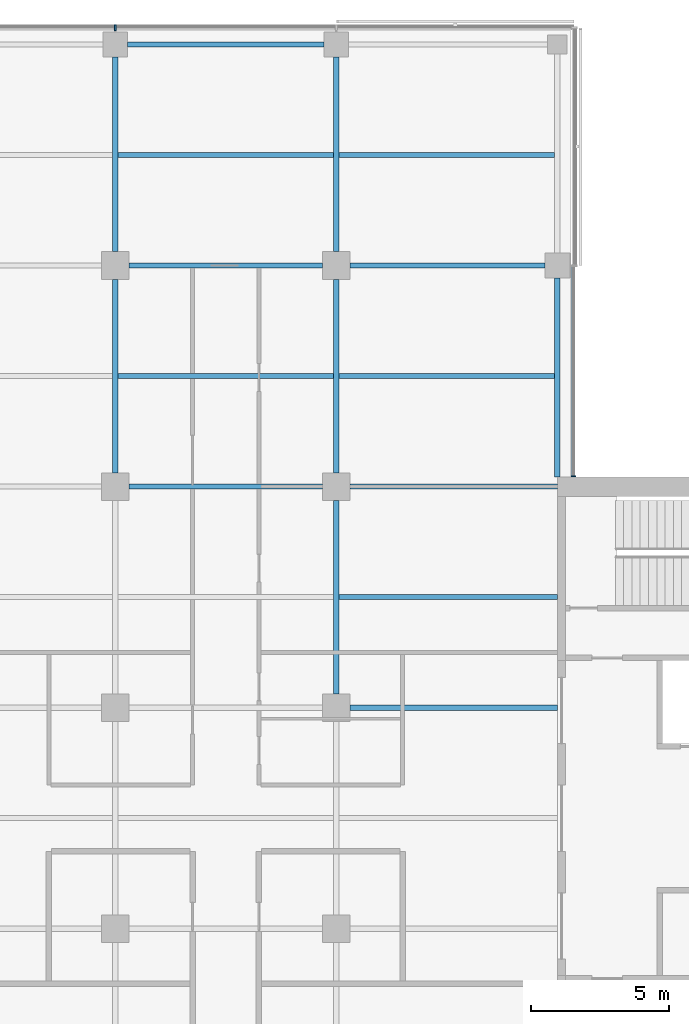
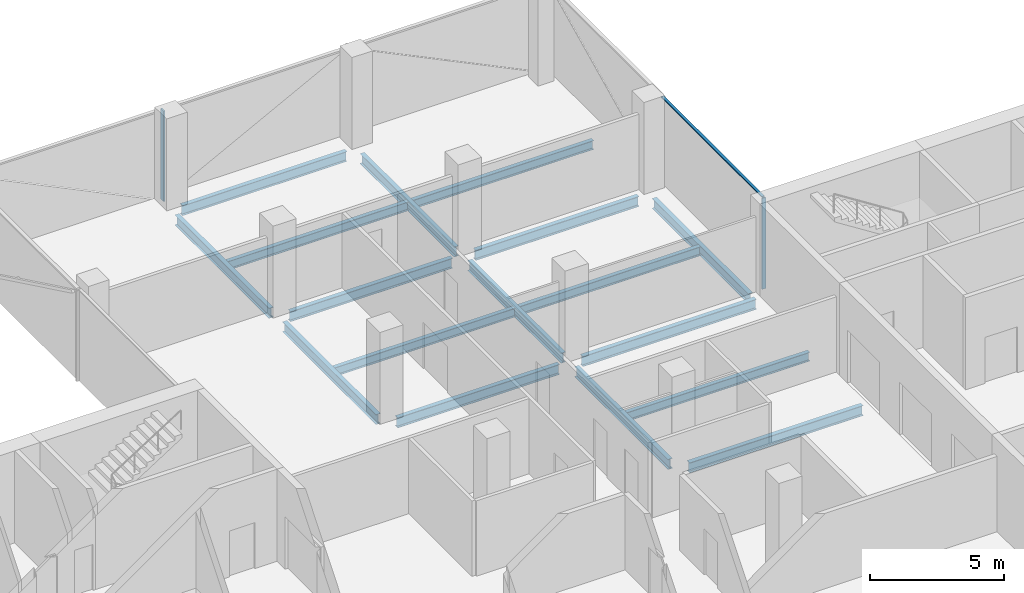
# One storey, part 9 of 22: 17 beams, 3 members, 2 elements without a shape of their own.
"""IFC4 building model written with IfcOpenShell, lengths in metres."""

from ifc_helpers import new_model, si_unit, direction, frame, origin, origin_2d, place, context, subcontext, project, spatial, rectangle, i_section, extrude, material, material_profile, profile_set, type_object, element, aggregate, save


model = new_model("IFC4")

# Units and contexts
model_context = context("Model", 3, precision=1e-05, world=origin(), true_north=direction((0.0, 1.0)))
body_context = subcontext(model_context, "Body", "Model", "MODEL_VIEW")
ifc_project = project(units=[si_unit("LENGTHUNIT", "METRE"), si_unit("AREAUNIT", "SQUARE_METRE"), si_unit("VOLUMEUNIT", "CUBIC_METRE"), si_unit("PLANEANGLEUNIT", "RADIAN"), si_unit("MASSUNIT", "GRAM", prefix="KILO")], contexts=[model_context])

# Site, building, storey
site_placement = place(None, origin())
site = spatial("IfcSite", under=ifc_project, at=site_placement, CompositionType="ELEMENT")
building_placement = place(site_placement, origin())
building = spatial("IfcBuilding", under=site, at=building_placement, Name="Crosswind Convention Tower", CompositionType="ELEMENT")
storey_placement = place(building_placement, frame((0.0, 0.0, 146.300048828125)))
storey = spatial("IfcBuildingStorey", under=building, at=storey_placement, Name="L30", CompositionType="ELEMENT", Elevation=146.300048828125)

# Beams
ifc_material_1 = material(Name="Steel S355", Category="steel")
ifc_material_profile_1 = material_profile(ifc_material_1, i_section(OverallWidth=0.18994140625, OverallDepth=0.45361328125, WebThickness=0.008544921875, FlangeThickness=0.0126953125, FilletRadius=0.01025390625, at=origin_2d()), Name="UB 457x191x67")
ifc_profile_set_1 = profile_set([ifc_material_profile_1], Name="Steel S355")
beam_type_1 = type_object("IfcBeamType", Name="Edge beam UB 457x191x67", PredefinedType="SPANDREL", material=ifc_profile_set_1)
beam_1_placement = place(storey_placement, frame((121.449951171875, 128.0, -0.52685546875), z_axis=(1.0, 0.0, 0.0), x_axis=(0.0, 1.0, 0.0)))
element("IfcBeam", 1, at=beam_1_placement, inside=storey, type_object=beam_type_1, Name="B16 L30 edge beam 13", PredefinedType="SPANDREL", context=body_context, shape_type="SweptSolid", body=[
    extrude(i_section(OverallWidth=0.18994140625, OverallDepth=0.45361328125, WebThickness=0.008544921875, FlangeThickness=0.0126953125, FilletRadius=0.01025390625, at=origin_2d()), origin(), (0.0, 0.0, 1.0), 7.10009765625),
])
beam_2_placement = place(storey_placement, frame((137.0, 112.35009765625, -0.52685546875), z_axis=(0.0, 1.0, 0.0), x_axis=(-1.0, 0.0, 0.0)))
element("IfcBeam", 2, at=beam_2_placement, inside=storey, type_object=beam_type_1, Name="B16 L30 edge beam 18", PredefinedType="SPANDREL", context=body_context, shape_type="SweptSolid", body=[
    extrude(i_section(OverallWidth=0.18994140625, OverallDepth=0.45361328125, WebThickness=0.008544921875, FlangeThickness=0.0126953125, FilletRadius=0.01025390625, at=origin_2d()), origin(), (0.0, 0.0, 1.0), 7.199951171875),
])
ifc_material_profile_2 = material_profile(ifc_material_1, i_section(OverallWidth=0.19140625, OverallDepth=0.460205078125, WebThickness=0.010009765625, FlangeThickness=0.01611328125, FilletRadius=0.01025390625, at=origin_2d()), Name="UB 457x191x82")
ifc_profile_set_2 = profile_set([ifc_material_profile_2], Name="Steel S355")
beam_type_2 = type_object("IfcBeamType", Name="Girder UB 457x191x82", PredefinedType="BEAM", material=ifc_profile_set_2)
beam_3_placement = place(storey_placement, frame((121.0, 112.5, -0.530029296875), z_axis=(0.0, 1.0, 0.0), x_axis=(-1.0, 0.0, 0.0)))
element("IfcBeam", 3, at=beam_3_placement, inside=storey, type_object=beam_type_2, Name="B3 L30 girder 8", PredefinedType="BEAM", context=body_context, shape_type="SweptSolid", body=[
    extrude(i_section(OverallWidth=0.19140625, OverallDepth=0.460205078125, WebThickness=0.010009765625, FlangeThickness=0.01611328125, FilletRadius=0.01025390625, at=origin_2d()), origin(), (0.0, 0.0, 1.0), 7.0),
])
beam_4_placement = place(storey_placement, frame((121.0, 120.5, -0.530029296875), z_axis=(0.0, 1.0, 0.0), x_axis=(-1.0, 0.0, 0.0)))
element("IfcBeam", 4, at=beam_4_placement, inside=storey, type_object=beam_type_2, Name="B3 L30 girder 9", PredefinedType="BEAM", context=body_context, shape_type="SweptSolid", body=[
    extrude(i_section(OverallWidth=0.19140625, OverallDepth=0.460205078125, WebThickness=0.010009765625, FlangeThickness=0.01611328125, FilletRadius=0.01025390625, at=origin_2d()), origin(), (0.0, 0.0, 1.0), 7.050048828125),
])
for number, where, z_axis, x_axis, name in (
    (5, (121.5, 112.0, -0.530029296875), (1.0, 0.0, 0.0), (0.0, 1.0, 0.0), "B3 L30 girder 14"),
    (6, (121.5, 120.0, -0.530029296875), (1.0, 0.0, 0.0), (0.0, 1.0, 0.0), "B3 L30 girder 15"),
    (7, (129.0, 104.5, -0.530029296875), (0.0, 1.0, 0.0), (-1.0, 0.0, 0.0), "B3 L30 girder 20"),
    (8, (129.0, 112.5, -0.530029296875), (0.0, 1.0, 0.0), (-1.0, 0.0, 0.0), "B3 L30 girder 21"),
):
    element("IfcBeam", number, at=place(storey_placement, frame(where, z_axis=z_axis, x_axis=x_axis)), inside=storey, type_object=beam_type_2, Name=name, PredefinedType="BEAM", context=body_context, shape_type="SweptSolid", body=[
        extrude(i_section(OverallWidth=0.19140625, OverallDepth=0.460205078125, WebThickness=0.010009765625, FlangeThickness=0.01611328125, FilletRadius=0.01025390625, at=origin_2d()), origin(), (0.0, 0.0, 1.0), 7.0),
    ])
for number, where, z_axis, x_axis, name in (
    (9, (129.0, 120.5, -0.530029296875), (0.0, 1.0, 0.0), (-1.0, 0.0, 0.0), "B3 L30 girder 22"),
    (10, (129.5, 120.0, -0.530029296875), (1.0, 0.0, 0.0), (0.0, 1.0, 0.0), "B3 L30 girder 24"),
):
    element("IfcBeam", number, at=place(storey_placement, frame(where, z_axis=z_axis, x_axis=x_axis)), inside=storey, type_object=beam_type_2, Name=name, PredefinedType="BEAM", context=body_context, shape_type="SweptSolid", body=[
        extrude(i_section(OverallWidth=0.19140625, OverallDepth=0.460205078125, WebThickness=0.010009765625, FlangeThickness=0.01611328125, FilletRadius=0.01025390625, at=origin_2d()), origin(), (0.0, 0.0, 1.0), 7.050048828125),
    ])
ifc_material_profile_3 = material_profile(ifc_material_1, i_section(OverallWidth=0.19189453125, OverallDepth=0.463623046875, WebThickness=0.010498046875, FlangeThickness=0.017578125, FilletRadius=0.01025390625, at=origin_2d()), Name="UB 457x191x90")
ifc_profile_set_3 = profile_set([ifc_material_profile_3], Name="Steel S355")
beam_type_3 = type_object("IfcBeamType", Name="Girder at core wall UB 457x191x90", PredefinedType="BEAM", material=ifc_profile_set_3)
for number, where, z_axis, x_axis, name in (
    (11, (129.5, 104.0, -0.53173828125), (1.0, 0.0, 0.0), (0.0, 1.0, 0.0), "B24 L30 girder at core wall 9"),
    (12, (129.5, 112.0, -0.53173828125), (1.0, 0.0, 0.0), (0.0, 1.0, 0.0), "B24 L30 girder at core wall 10"),
):
    element("IfcBeam", number, at=place(storey_placement, frame(where, z_axis=z_axis, x_axis=x_axis)), inside=storey, type_object=beam_type_3, Name=name, PredefinedType="BEAM", context=body_context, shape_type="SweptSolid", body=[
        extrude(i_section(OverallWidth=0.19189453125, OverallDepth=0.463623046875, WebThickness=0.010498046875, FlangeThickness=0.017578125, FilletRadius=0.01025390625, at=origin_2d()), origin(), (0.0, 0.0, 1.0), 7.5),
    ])

# Curtain wall, member
ifc_material_2 = material(Name="Aluminium unitised curtain wall", Category="aluminium")
curtain_wall_type_1 = type_object("IfcCurtainWallType", Name="CORE END SLOT WALL 160", PredefinedType="USERDEFINED", material=ifc_material_2)
curtain_wall_1_placement = place(storey_placement, origin())
curtain_wall_1 = element("IfcCurtainWall", 13, at=curtain_wall_1_placement, inside=storey, type_object=curtain_wall_type_1, Name="CW6 L30 N-E.1-1 slot", ObjectType="UNITISED", PredefinedType="USERDEFINED")
ifc_material_3 = material(Name="Aluminium mullion", Category="aluminium")
ifc_material_profile_4 = material_profile(ifc_material_3, rectangle(XDim=0.159912109375, YDim=0.050048828125, at=origin_2d()), Name="AL 160X50")
ifc_profile_set_4 = profile_set([ifc_material_profile_4], Name="Aluminium mullion")
member_type_1 = type_object("IfcMemberType", Name="MULLION 50X160", PredefinedType="MULLION", material=ifc_profile_set_4)
member_1_placement = place(storey_placement, frame((137.580078125, 112.375, -0.300048828125), z_axis=(0.0, 0.0, 1.0), x_axis=(1.0, 0.0, 0.0)))
member_1 = element("IfcMember", 14, at=member_1_placement, type_object=member_type_1, Name="CW6 mullion 1", PredefinedType="MULLION", context=body_context, shape_type="SweptSolid", body=[
    extrude(rectangle(XDim=0.159912109375, YDim=0.050048828125, at=origin_2d()), origin(), (0.0, 0.0, 1.0), 4.14990234375),
])

curtain_wall_type_2 = type_object("IfcCurtainWallType", Name="OFFICE UNITISED WALL 220", PredefinedType="USERDEFINED", material=ifc_material_2)
curtain_wall_2_placement = place(storey_placement, origin())
curtain_wall_2 = element("IfcCurtainWall", 15, at=curtain_wall_2_placement, inside=storey, type_object=curtain_wall_type_2, Name="CW3 L30 N-TIP 1", ObjectType="UNITISED", PredefinedType="USERDEFINED")
ifc_material_profile_5 = material_profile(ifc_material_3, rectangle(XDim=0.219970703125, YDim=0.070068359375, at=origin_2d()), Name="AL 220X70")
ifc_profile_set_5 = profile_set([ifc_material_profile_5], Name="Aluminium mullion")
member_type_2 = type_object("IfcMemberType", Name="MULLION 70X220", PredefinedType="MULLION", material=ifc_profile_set_5)
member_2_placement = place(storey_placement, frame((121.0, 128.610107421875, -0.300048828125), z_axis=(0.0, 0.0, 1.0), x_axis=(0.0, 1.0, 0.0)))
member_2 = element("IfcMember", 16, at=member_2_placement, type_object=member_type_2, Name="CW3 mullion 3", PredefinedType="MULLION", context=body_context, shape_type="SweptSolid", body=[
    extrude(rectangle(XDim=0.219970703125, YDim=0.070068359375, at=origin_2d()), origin(), (0.0, 0.0, 1.0), 4.1298828125),
])
aggregate(curtain_wall_2, [member_2])

# Beams
ifc_material_profile_6 = material_profile(ifc_material_1, i_section(OverallWidth=0.177734375, OverallDepth=0.406494140625, WebThickness=0.0078125, FlangeThickness=0.0126953125, FilletRadius=0.01025390625, at=origin_2d()), Name="UB 406x178x60")
ifc_profile_set_6 = profile_set([ifc_material_profile_6], Name="Steel S355")
beam_type_4 = type_object("IfcBeamType", Name="Secondary beam UB 406x178x60", PredefinedType="JOIST", material=ifc_profile_set_6)
for number, where, z_axis, x_axis, name in (
    (17, (121.095703125, 116.0, -0.503173828125), (1.0, 0.0, 0.0), (0.0, 1.0, 0.0), "B10 L30 secondary beam 16"),
    (18, (121.095703125, 124.0, -0.503173828125), (1.0, 0.0, 0.0), (0.0, 1.0, 0.0), "B10 L30 secondary beam 17"),
):
    element("IfcBeam", number, at=place(storey_placement, frame(where, z_axis=z_axis, x_axis=x_axis)), inside=storey, type_object=beam_type_4, Name=name, PredefinedType="JOIST", context=body_context, shape_type="SweptSolid", body=[
        extrude(i_section(OverallWidth=0.177734375, OverallDepth=0.406494140625, WebThickness=0.0078125, FlangeThickness=0.0126953125, FilletRadius=0.01025390625, at=origin_2d()), origin(), (0.0, 0.0, 1.0), 7.80859375),
    ])
beam_5_placement = place(storey_placement, frame((129.095703125, 108.0, -0.503173828125), z_axis=(1.0, 0.0, 0.0), x_axis=(0.0, 1.0, 0.0)))
element("IfcBeam", 19, at=beam_5_placement, inside=storey, type_object=beam_type_4, Name="B10 L30 secondary beam 22", PredefinedType="JOIST", context=body_context, shape_type="SweptSolid", body=[
    extrude(i_section(OverallWidth=0.177734375, OverallDepth=0.406494140625, WebThickness=0.0078125, FlangeThickness=0.0126953125, FilletRadius=0.01025390625, at=origin_2d()), origin(), (0.0, 0.0, 1.0), 7.904296875),
])
for number, where, z_axis, x_axis, name in (
    (20, (129.095703125, 116.0, -0.503173828125), (1.0, 0.0, 0.0), (0.0, 1.0, 0.0), "B10 L30 secondary beam 23"),
    (21, (129.095703125, 124.0, -0.503173828125), (1.0, 0.0, 0.0), (0.0, 1.0, 0.0), "B10 L30 secondary beam 24"),
):
    element("IfcBeam", number, at=place(storey_placement, frame(where, z_axis=z_axis, x_axis=x_axis)), inside=storey, type_object=beam_type_4, Name=name, PredefinedType="JOIST", context=body_context, shape_type="SweptSolid", body=[
        extrude(i_section(OverallWidth=0.177734375, OverallDepth=0.406494140625, WebThickness=0.0078125, FlangeThickness=0.0126953125, FilletRadius=0.01025390625, at=origin_2d()), origin(), (0.0, 0.0, 1.0), 7.809326171875),
    ])

# Member
ifc_material_4 = material(Name="Aluminium transom", Category="aluminium")
ifc_material_profile_7 = material_profile(ifc_material_4, rectangle(XDim=0.1201171875, YDim=0.050048828125, at=origin_2d()), Name="AL 120X50")
ifc_profile_set_7 = profile_set([ifc_material_profile_7], Name="Aluminium transom")
member_type_3 = type_object("IfcMemberType", Name="TRANSOM 50X120", PredefinedType="USERDEFINED", material=ifc_profile_set_7)
member_3_placement = place(storey_placement, frame((137.580078125, 112.39990234375, 3.875), z_axis=(0.0, 1.0, 0.0), x_axis=(-1.0, 0.0, 0.0)))
member_3 = element("IfcMember", 22, at=member_3_placement, type_object=member_type_3, Name="CW6 transom", ObjectType="TRANSOM", PredefinedType="USERDEFINED", context=body_context, shape_type="SweptSolid", body=[
    extrude(rectangle(XDim=0.1201171875, YDim=0.050048828125, at=origin_2d()), origin(), (0.0, 0.0, 1.0), 7.550048828125),
])

aggregate(curtain_wall_1, [member_1, member_3])

save(model, "model.ifc")
